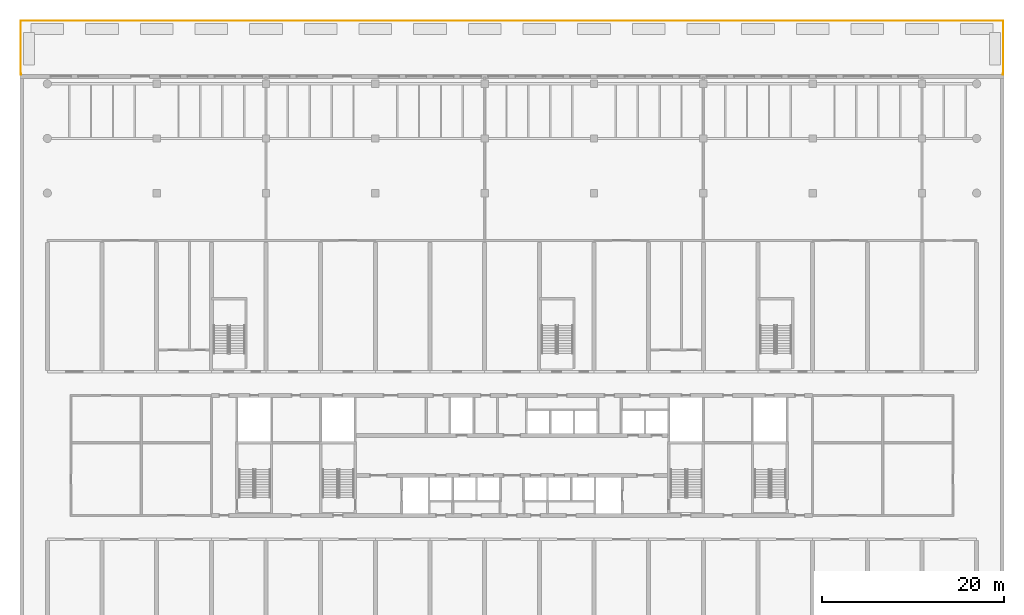
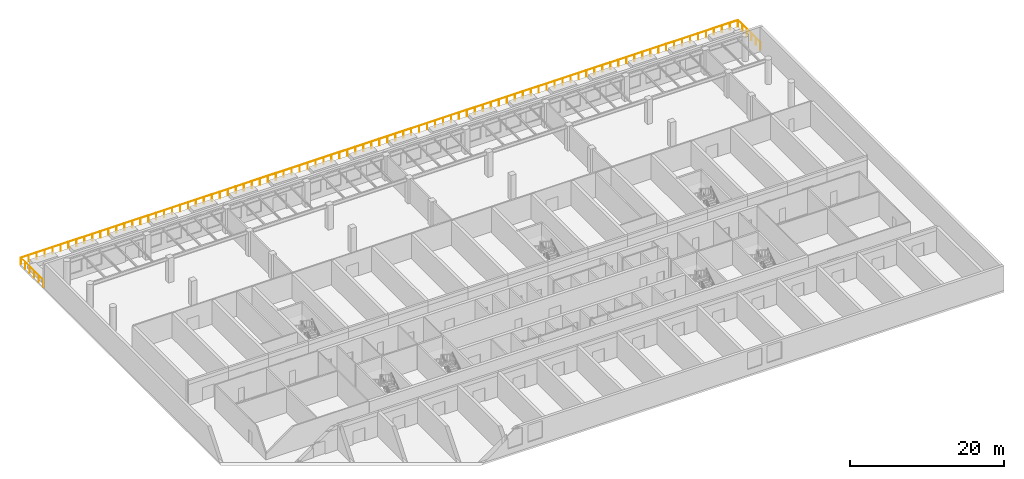
# One storey, part 15 of 15: 1 railing.
"""IFC4 building model written with IfcOpenShell, lengths in metres."""

from ifc_helpers import new_model, si_unit, direction, frame, origin, origin_2d, place, context, subcontext, project, spatial, circle, extrude, material, type_object, element, save


model = new_model("IFC4")

# Units and contexts
model_context = context("Model", 3, precision=1e-05, world=origin(), true_north=direction((0.0, 1.0)))
body_context = subcontext(model_context, "Body", "Model", "MODEL_VIEW")
ifc_project = project(units=[si_unit("LENGTHUNIT", "METRE"), si_unit("AREAUNIT", "SQUARE_METRE"), si_unit("VOLUMEUNIT", "CUBIC_METRE"), si_unit("PLANEANGLEUNIT", "RADIAN"), si_unit("MASSUNIT", "GRAM", prefix="KILO")], contexts=[model_context])

# Site, building, storey
site_placement = place(None, origin())
site = spatial("IfcSite", under=ifc_project, at=site_placement, CompositionType="ELEMENT")
building_placement = place(site_placement, origin())
building = spatial("IfcBuilding", under=site, at=building_placement, Name="Poui Terraces", CompositionType="ELEMENT")
storey_placement = place(building_placement, frame((0.0, 0.0, 10.800048828125)))
storey = spatial("IfcBuildingStorey", under=building, at=storey_placement, Name="L02", CompositionType="ELEMENT", Elevation=10.800048828125)

# Railing
ifc_material = material(Name="Painted steel fretwork", Category="steel")
railing_type = type_object("IfcRailingType", Name="TERRACE GUARD 1100", PredefinedType="GUARDRAIL", material=ifc_material)
railing_placement = place(storey_placement, frame((-2.89990234375, 63.0, 0.0)))
element("IfcRailing", 1, at=railing_placement, inside=storey, type_object=railing_type, Name="TERRACE GUARD", PredefinedType="GUARDRAIL", context=body_context, shape_type="SweptSolid", body=[
    extrude(circle(Radius=0.02392578125, at=origin_2d()), frame((0.0, 0.0, 1.076171875), z_axis=(0.0, 1.0, 0.0), x_axis=(-1.0, 0.0, 0.0)), (0.0, 0.0, 1.0), 0.080078125),
    extrude(circle(Radius=0.02392578125, at=origin_2d()), frame((0.0, 0.080078125, 1.076171875), z_axis=(-1.0, 0.0, 0.0), x_axis=(0.0, -1.0, 0.0)), (0.0, 0.0, 1.0), 0.02001953125),
    extrude(circle(Radius=0.02392578125, at=origin_2d()), frame((-0.02001953125, 0.080078125, 1.076171875), z_axis=(0.0, 1.0, 0.0), x_axis=(-1.0, 0.0, 0.0)), (0.0, 0.0, 1.0), 5.83984375),
    extrude(circle(Radius=0.02392578125, at=origin_2d()), frame((-0.02001953125, 5.919921875, 1.076171875), z_axis=(1.0, 0.0, 0.0), x_axis=(0.0, 1.0, 0.0)), (0.0, 0.0, 1.0), 107.83984375),
    extrude(circle(Radius=0.02392578125, at=origin_2d()), frame((107.81982421875, 5.919921875, 1.076171875), z_axis=(0.0, -1.0, 0.0), x_axis=(1.0, 0.0, 0.0)), (0.0, 0.0, 1.0), 5.83984375),
    extrude(circle(Radius=0.02392578125, at=origin_2d()), frame((107.81982421875, 0.080078125, 1.076171875), z_axis=(-1.0, 0.0, 0.0), x_axis=(0.0, -1.0, 0.0)), (0.0, 0.0, 1.0), 0.02001953125),
    extrude(circle(Radius=0.02392578125, at=origin_2d()), frame((107.7998046875, 0.080078125, 1.076171875), z_axis=(0.0, -1.0, 0.0), x_axis=(1.0, 0.0, 0.0)), (0.0, 0.0, 1.0), 0.080078125),
    extrude(circle(Radius=0.02099609375, at=origin_2d()), origin(), (0.0, 0.0, 1.0), 1.052001953125),
    extrude(circle(Radius=0.02099609375, at=origin_2d()), frame((0.0, 0.080078125, 0.0)), (0.0, 0.0, 1.0), 1.052001953125),
    extrude(circle(Radius=0.02099609375, at=origin_2d()), frame((-0.02001953125, 0.080078125, 0.0)), (0.0, 0.0, 1.0), 1.052001953125),
    extrude(circle(Radius=0.02099609375, at=origin_2d()), frame((-0.02001953125, 1.248046875, 0.0)), (0.0, 0.0, 1.0), 1.052001953125),
    extrude(circle(Radius=0.02099609375, at=origin_2d()), frame((-0.02001953125, 2.416015625, 0.0)), (0.0, 0.0, 1.0), 1.052001953125),
    extrude(circle(Radius=0.02099609375, at=origin_2d()), frame((-0.02001953125, 3.583984375, 0.0)), (0.0, 0.0, 1.0), 1.052001953125),
    extrude(circle(Radius=0.02099609375, at=origin_2d()), frame((-0.02001953125, 4.751953125, 0.0)), (0.0, 0.0, 1.0), 1.052001953125),
    extrude(circle(Radius=0.02099609375, at=origin_2d()), frame((-0.02001953125, 5.919921875, 0.0)), (0.0, 0.0, 1.0), 1.052001953125),
    extrude(circle(Radius=0.02099609375, at=origin_2d()), frame((1.17822265625, 5.919921875, 0.0)), (0.0, 0.0, 1.0), 1.052001953125),
    extrude(circle(Radius=0.02099609375, at=origin_2d()), frame((2.37646484375, 5.919921875, 0.0)), (0.0, 0.0, 1.0), 1.052001953125),
    extrude(circle(Radius=0.02099609375, at=origin_2d()), frame((3.57470703125, 5.919921875, 0.0)), (0.0, 0.0, 1.0), 1.052001953125),
    extrude(circle(Radius=0.02099609375, at=origin_2d()), frame((4.77294921875, 5.919921875, 0.0)), (0.0, 0.0, 1.0), 1.052001953125),
    extrude(circle(Radius=0.02099609375, at=origin_2d()), frame((5.97119140625, 5.919921875, 0.0)), (0.0, 0.0, 1.0), 1.052001953125),
    extrude(circle(Radius=0.02099609375, at=origin_2d()), frame((7.169189453125, 5.919921875, 0.0)), (0.0, 0.0, 1.0), 1.052001953125),
    extrude(circle(Radius=0.02099609375, at=origin_2d()), frame((8.367431640625, 5.919921875, 0.0)), (0.0, 0.0, 1.0), 1.052001953125),
    extrude(circle(Radius=0.02099609375, at=origin_2d()), frame((9.565673828125, 5.919921875, 0.0)), (0.0, 0.0, 1.0), 1.052001953125),
    extrude(circle(Radius=0.02099609375, at=origin_2d()), frame((10.763916015625, 5.919921875, 0.0)), (0.0, 0.0, 1.0), 1.052001953125),
    extrude(circle(Radius=0.02099609375, at=origin_2d()), frame((11.962158203125, 5.919921875, 0.0)), (0.0, 0.0, 1.0), 1.052001953125),
    extrude(circle(Radius=0.02099609375, at=origin_2d()), frame((13.160400390625, 5.919921875, 0.0)), (0.0, 0.0, 1.0), 1.052001953125),
    extrude(circle(Radius=0.02099609375, at=origin_2d()), frame((14.358642578125, 5.919921875, 0.0)), (0.0, 0.0, 1.0), 1.052001953125),
    extrude(circle(Radius=0.02099609375, at=origin_2d()), frame((15.556884765625, 5.919921875, 0.0)), (0.0, 0.0, 1.0), 1.052001953125),
    extrude(circle(Radius=0.02099609375, at=origin_2d()), frame((16.755126953125, 5.919921875, 0.0)), (0.0, 0.0, 1.0), 1.052001953125),
    extrude(circle(Radius=0.02099609375, at=origin_2d()), frame((17.953369140625, 5.919921875, 0.0)), (0.0, 0.0, 1.0), 1.052001953125),
    extrude(circle(Radius=0.02099609375, at=origin_2d()), frame((19.151611328125, 5.919921875, 0.0)), (0.0, 0.0, 1.0), 1.052001953125),
    extrude(circle(Radius=0.02099609375, at=origin_2d()), frame((20.349609375, 5.919921875, 0.0)), (0.0, 0.0, 1.0), 1.052001953125),
    extrude(circle(Radius=0.02099609375, at=origin_2d()), frame((21.5478515625, 5.919921875, 0.0)), (0.0, 0.0, 1.0), 1.052001953125),
    extrude(circle(Radius=0.02099609375, at=origin_2d()), frame((22.74609375, 5.919921875, 0.0)), (0.0, 0.0, 1.0), 1.052001953125),
    extrude(circle(Radius=0.02099609375, at=origin_2d()), frame((23.9443359375, 5.919921875, 0.0)), (0.0, 0.0, 1.0), 1.052001953125),
    extrude(circle(Radius=0.02099609375, at=origin_2d()), frame((25.142578125, 5.919921875, 0.0)), (0.0, 0.0, 1.0), 1.052001953125),
    extrude(circle(Radius=0.02099609375, at=origin_2d()), frame((26.3408203125, 5.919921875, 0.0)), (0.0, 0.0, 1.0), 1.052001953125),
    extrude(circle(Radius=0.02099609375, at=origin_2d()), frame((27.5390625, 5.919921875, 0.0)), (0.0, 0.0, 1.0), 1.052001953125),
    extrude(circle(Radius=0.02099609375, at=origin_2d()), frame((28.7373046875, 5.919921875, 0.0)), (0.0, 0.0, 1.0), 1.052001953125),
    extrude(circle(Radius=0.02099609375, at=origin_2d()), frame((29.935546875, 5.919921875, 0.0)), (0.0, 0.0, 1.0), 1.052001953125),
    extrude(circle(Radius=0.02099609375, at=origin_2d()), frame((31.1337890625, 5.919921875, 0.0)), (0.0, 0.0, 1.0), 1.052001953125),
    extrude(circle(Radius=0.02099609375, at=origin_2d()), frame((32.33203125, 5.919921875, 0.0)), (0.0, 0.0, 1.0), 1.052001953125),
    extrude(circle(Radius=0.02099609375, at=origin_2d()), frame((33.5302734375, 5.919921875, 0.0)), (0.0, 0.0, 1.0), 1.052001953125),
    extrude(circle(Radius=0.02099609375, at=origin_2d()), frame((34.728271484375, 5.919921875, 0.0)), (0.0, 0.0, 1.0), 1.052001953125),
    extrude(circle(Radius=0.02099609375, at=origin_2d()), frame((35.926513671875, 5.919921875, 0.0)), (0.0, 0.0, 1.0), 1.052001953125),
    extrude(circle(Radius=0.02099609375, at=origin_2d()), frame((37.124755859375, 5.919921875, 0.0)), (0.0, 0.0, 1.0), 1.052001953125),
    extrude(circle(Radius=0.02099609375, at=origin_2d()), frame((38.322998046875, 5.919921875, 0.0)), (0.0, 0.0, 1.0), 1.052001953125),
    extrude(circle(Radius=0.02099609375, at=origin_2d()), frame((39.521240234375, 5.919921875, 0.0)), (0.0, 0.0, 1.0), 1.052001953125),
    extrude(circle(Radius=0.02099609375, at=origin_2d()), frame((40.719482421875, 5.919921875, 0.0)), (0.0, 0.0, 1.0), 1.052001953125),
    extrude(circle(Radius=0.02099609375, at=origin_2d()), frame((41.917724609375, 5.919921875, 0.0)), (0.0, 0.0, 1.0), 1.052001953125),
    extrude(circle(Radius=0.02099609375, at=origin_2d()), frame((43.115966796875, 5.919921875, 0.0)), (0.0, 0.0, 1.0), 1.052001953125),
    extrude(circle(Radius=0.02099609375, at=origin_2d()), frame((44.314208984375, 5.919921875, 0.0)), (0.0, 0.0, 1.0), 1.052001953125),
    extrude(circle(Radius=0.02099609375, at=origin_2d()), frame((45.512451171875, 5.919921875, 0.0)), (0.0, 0.0, 1.0), 1.052001953125),
    extrude(circle(Radius=0.02099609375, at=origin_2d()), frame((46.710693359375, 5.919921875, 0.0)), (0.0, 0.0, 1.0), 1.052001953125),
    extrude(circle(Radius=0.02099609375, at=origin_2d()), frame((47.90869140625, 5.919921875, 0.0)), (0.0, 0.0, 1.0), 1.052001953125),
    extrude(circle(Radius=0.02099609375, at=origin_2d()), frame((49.10693359375, 5.919921875, 0.0)), (0.0, 0.0, 1.0), 1.052001953125),
    extrude(circle(Radius=0.02099609375, at=origin_2d()), frame((50.30517578125, 5.919921875, 0.0)), (0.0, 0.0, 1.0), 1.052001953125),
    extrude(circle(Radius=0.02099609375, at=origin_2d()), frame((51.50341796875, 5.919921875, 0.0)), (0.0, 0.0, 1.0), 1.052001953125),
    extrude(circle(Radius=0.02099609375, at=origin_2d()), frame((52.70166015625, 5.919921875, 0.0)), (0.0, 0.0, 1.0), 1.052001953125),
    extrude(circle(Radius=0.02099609375, at=origin_2d()), frame((53.89990234375, 5.919921875, 0.0)), (0.0, 0.0, 1.0), 1.052001953125),
    extrude(circle(Radius=0.02099609375, at=origin_2d()), frame((55.09814453125, 5.919921875, 0.0)), (0.0, 0.0, 1.0), 1.052001953125),
    extrude(circle(Radius=0.02099609375, at=origin_2d()), frame((56.29638671875, 5.919921875, 0.0)), (0.0, 0.0, 1.0), 1.052001953125),
    extrude(circle(Radius=0.02099609375, at=origin_2d()), frame((57.49462890625, 5.919921875, 0.0)), (0.0, 0.0, 1.0), 1.052001953125),
    extrude(circle(Radius=0.02099609375, at=origin_2d()), frame((58.69287109375, 5.919921875, 0.0)), (0.0, 0.0, 1.0), 1.052001953125),
    extrude(circle(Radius=0.02099609375, at=origin_2d()), frame((59.89111328125, 5.919921875, 0.0)), (0.0, 0.0, 1.0), 1.052001953125),
    extrude(circle(Radius=0.02099609375, at=origin_2d()), frame((61.089111328125, 5.919921875, 0.0)), (0.0, 0.0, 1.0), 1.052001953125),
    extrude(circle(Radius=0.02099609375, at=origin_2d()), frame((62.287353515625, 5.919921875, 0.0)), (0.0, 0.0, 1.0), 1.052001953125),
    extrude(circle(Radius=0.02099609375, at=origin_2d()), frame((63.485595703125, 5.919921875, 0.0)), (0.0, 0.0, 1.0), 1.052001953125),
    extrude(circle(Radius=0.02099609375, at=origin_2d()), frame((64.683837890625, 5.919921875, 0.0)), (0.0, 0.0, 1.0), 1.052001953125),
    extrude(circle(Radius=0.02099609375, at=origin_2d()), frame((65.882080078125, 5.919921875, 0.0)), (0.0, 0.0, 1.0), 1.052001953125),
    extrude(circle(Radius=0.02099609375, at=origin_2d()), frame((67.080322265625, 5.919921875, 0.0)), (0.0, 0.0, 1.0), 1.052001953125),
    extrude(circle(Radius=0.02099609375, at=origin_2d()), frame((68.278564453125, 5.919921875, 0.0)), (0.0, 0.0, 1.0), 1.052001953125),
    extrude(circle(Radius=0.02099609375, at=origin_2d()), frame((69.476806640625, 5.919921875, 0.0)), (0.0, 0.0, 1.0), 1.052001953125),
    extrude(circle(Radius=0.02099609375, at=origin_2d()), frame((70.675048828125, 5.919921875, 0.0)), (0.0, 0.0, 1.0), 1.052001953125),
    extrude(circle(Radius=0.02099609375, at=origin_2d()), frame((71.873291015625, 5.919921875, 0.0)), (0.0, 0.0, 1.0), 1.052001953125),
    extrude(circle(Radius=0.02099609375, at=origin_2d()), frame((73.071533203125, 5.919921875, 0.0)), (0.0, 0.0, 1.0), 1.052001953125),
    extrude(circle(Radius=0.02099609375, at=origin_2d()), frame((74.26953125, 5.919921875, 0.0)), (0.0, 0.0, 1.0), 1.052001953125),
    extrude(circle(Radius=0.02099609375, at=origin_2d()), frame((75.4677734375, 5.919921875, 0.0)), (0.0, 0.0, 1.0), 1.052001953125),
    extrude(circle(Radius=0.02099609375, at=origin_2d()), frame((76.666015625, 5.919921875, 0.0)), (0.0, 0.0, 1.0), 1.052001953125),
    extrude(circle(Radius=0.02099609375, at=origin_2d()), frame((77.8642578125, 5.919921875, 0.0)), (0.0, 0.0, 1.0), 1.052001953125),
    extrude(circle(Radius=0.02099609375, at=origin_2d()), frame((79.0625, 5.919921875, 0.0)), (0.0, 0.0, 1.0), 1.052001953125),
    extrude(circle(Radius=0.02099609375, at=origin_2d()), frame((80.2607421875, 5.919921875, 0.0)), (0.0, 0.0, 1.0), 1.052001953125),
    extrude(circle(Radius=0.02099609375, at=origin_2d()), frame((81.458984375, 5.919921875, 0.0)), (0.0, 0.0, 1.0), 1.052001953125),
    extrude(circle(Radius=0.02099609375, at=origin_2d()), frame((82.6572265625, 5.919921875, 0.0)), (0.0, 0.0, 1.0), 1.052001953125),
    extrude(circle(Radius=0.02099609375, at=origin_2d()), frame((83.85546875, 5.919921875, 0.0)), (0.0, 0.0, 1.0), 1.052001953125),
    extrude(circle(Radius=0.02099609375, at=origin_2d()), frame((85.0537109375, 5.919921875, 0.0)), (0.0, 0.0, 1.0), 1.052001953125),
    extrude(circle(Radius=0.02099609375, at=origin_2d()), frame((86.251953125, 5.919921875, 0.0)), (0.0, 0.0, 1.0), 1.052001953125),
    extrude(circle(Radius=0.02099609375, at=origin_2d()), frame((87.4501953125, 5.919921875, 0.0)), (0.0, 0.0, 1.0), 1.052001953125),
    extrude(circle(Radius=0.02099609375, at=origin_2d()), frame((88.648193359375, 5.919921875, 0.0)), (0.0, 0.0, 1.0), 1.052001953125),
    extrude(circle(Radius=0.02099609375, at=origin_2d()), frame((89.846435546875, 5.919921875, 0.0)), (0.0, 0.0, 1.0), 1.052001953125),
    extrude(circle(Radius=0.02099609375, at=origin_2d()), frame((91.044677734375, 5.919921875, 0.0)), (0.0, 0.0, 1.0), 1.052001953125),
    extrude(circle(Radius=0.02099609375, at=origin_2d()), frame((92.242919921875, 5.919921875, 0.0)), (0.0, 0.0, 1.0), 1.052001953125),
    extrude(circle(Radius=0.02099609375, at=origin_2d()), frame((93.441162109375, 5.919921875, 0.0)), (0.0, 0.0, 1.0), 1.052001953125),
    extrude(circle(Radius=0.02099609375, at=origin_2d()), frame((94.639404296875, 5.919921875, 0.0)), (0.0, 0.0, 1.0), 1.052001953125),
    extrude(circle(Radius=0.02099609375, at=origin_2d()), frame((95.837646484375, 5.919921875, 0.0)), (0.0, 0.0, 1.0), 1.052001953125),
    extrude(circle(Radius=0.02099609375, at=origin_2d()), frame((97.035888671875, 5.919921875, 0.0)), (0.0, 0.0, 1.0), 1.052001953125),
    extrude(circle(Radius=0.02099609375, at=origin_2d()), frame((98.234130859375, 5.919921875, 0.0)), (0.0, 0.0, 1.0), 1.052001953125),
    extrude(circle(Radius=0.02099609375, at=origin_2d()), frame((99.432373046875, 5.919921875, 0.0)), (0.0, 0.0, 1.0), 1.052001953125),
    extrude(circle(Radius=0.02099609375, at=origin_2d()), frame((100.630615234375, 5.919921875, 0.0)), (0.0, 0.0, 1.0), 1.052001953125),
    extrude(circle(Radius=0.02099609375, at=origin_2d()), frame((101.82861328125, 5.919921875, 0.0)), (0.0, 0.0, 1.0), 1.052001953125),
    extrude(circle(Radius=0.02099609375, at=origin_2d()), frame((103.02685546875, 5.919921875, 0.0)), (0.0, 0.0, 1.0), 1.052001953125),
    extrude(circle(Radius=0.02099609375, at=origin_2d()), frame((104.22509765625, 5.919921875, 0.0)), (0.0, 0.0, 1.0), 1.052001953125),
    extrude(circle(Radius=0.02099609375, at=origin_2d()), frame((105.42333984375, 5.919921875, 0.0)), (0.0, 0.0, 1.0), 1.052001953125),
    extrude(circle(Radius=0.02099609375, at=origin_2d()), frame((106.62158203125, 5.919921875, 0.0)), (0.0, 0.0, 1.0), 1.052001953125),
    extrude(circle(Radius=0.02099609375, at=origin_2d()), frame((107.81982421875, 5.919921875, 0.0)), (0.0, 0.0, 1.0), 1.052001953125),
    extrude(circle(Radius=0.02099609375, at=origin_2d()), frame((107.81982421875, 4.751953125, 0.0)), (0.0, 0.0, 1.0), 1.052001953125),
    extrude(circle(Radius=0.02099609375, at=origin_2d()), frame((107.81982421875, 3.583984375, 0.0)), (0.0, 0.0, 1.0), 1.052001953125),
    extrude(circle(Radius=0.02099609375, at=origin_2d()), frame((107.81982421875, 2.416015625, 0.0)), (0.0, 0.0, 1.0), 1.052001953125),
    extrude(circle(Radius=0.02099609375, at=origin_2d()), frame((107.81982421875, 1.248046875, 0.0)), (0.0, 0.0, 1.0), 1.052001953125),
    extrude(circle(Radius=0.02099609375, at=origin_2d()), frame((107.81982421875, 0.080078125, 0.0)), (0.0, 0.0, 1.0), 1.052001953125),
    extrude(circle(Radius=0.02099609375, at=origin_2d()), frame((107.7998046875, 0.080078125, 0.0)), (0.0, 0.0, 1.0), 1.052001953125),
    extrude(circle(Radius=0.02099609375, at=origin_2d()), frame((107.7998046875, 0.0, 0.0)), (0.0, 0.0, 1.0), 1.052001953125),
])

save(model, "model.ifc")
